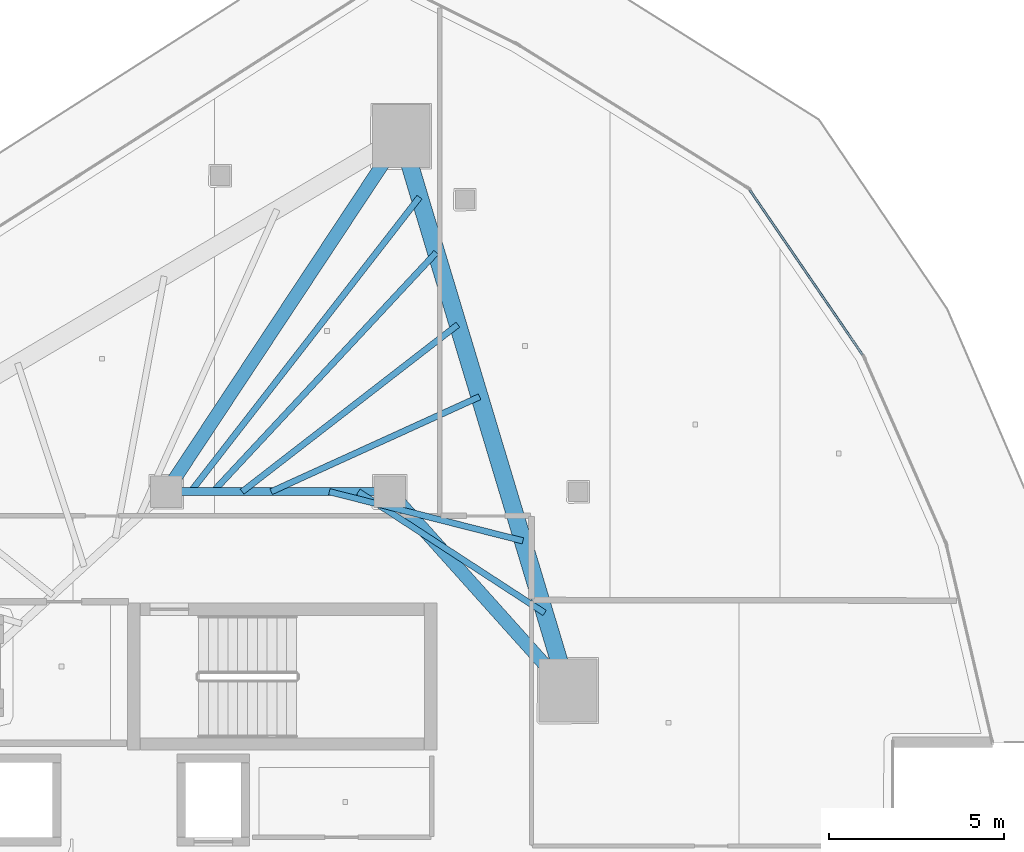
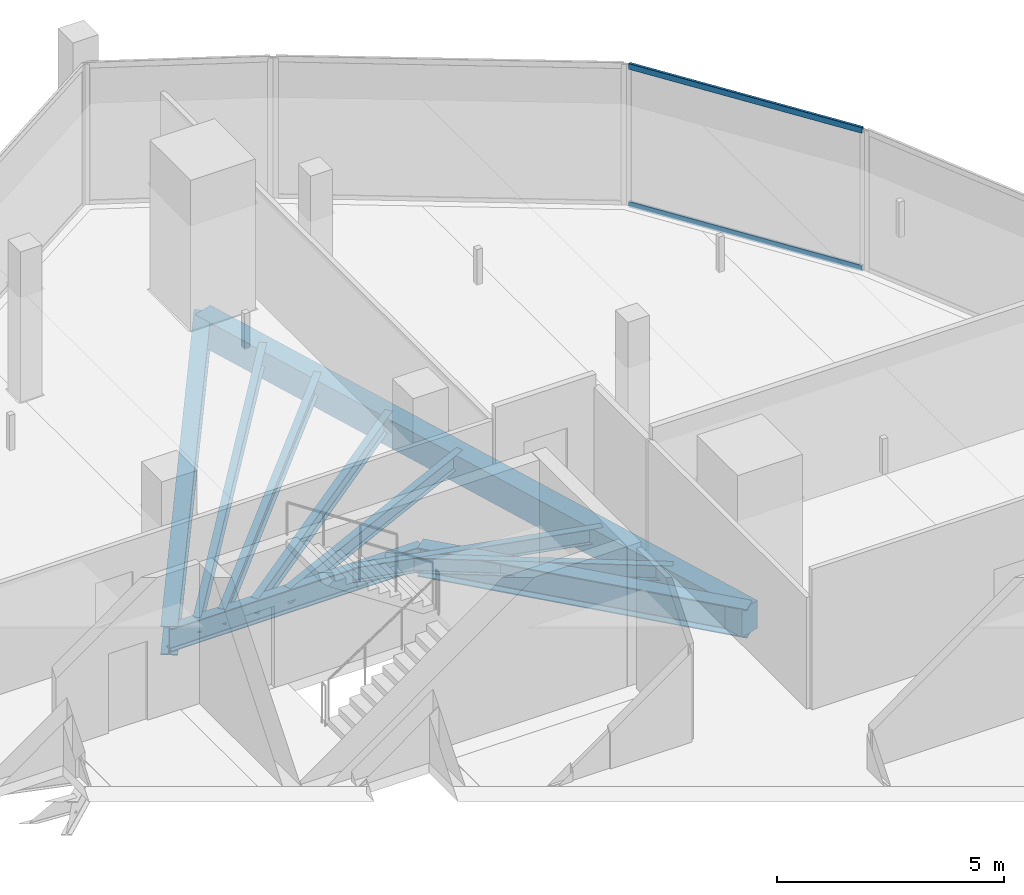
# One storey, part 19 of 33: 10 beams, 2 members, 1 element without a shape of its own.
"""IFC4 building model written with IfcOpenShell, lengths in metres."""

import ifcopenshell
import ifcopenshell.guid

model = None  # the IFC model being written
_history = None  # IfcOwnerHistory: only IFC2X3 demands one
_inside = {}  # id of a spatial element -> (the spatial element, [elements in it])
_under = {}  # id of a project, library or spatial element -> (it, [spatial elements below it])
_declared = {}  # id of a project -> (the project, [libraries it declares])
_typed = {}  # id of a type object -> (the type object, [elements of that type])
_made_of = {}  # id of a material, layer set ... -> (it, [elements and type objects made of it])


def new_model(schema):
    """Start an empty IFC model of exactly this schema.

    Asked for "IFC4X3", IfcOpenShell would pick the latest addendum, in which some entities
    have other attributes; the version numbers below select the first issue.
    IFC2X3 requires an IfcOwnerHistory on every rooted entity: one is made here for all.
    """
    global model, _history
    if schema == "IFC4X3":
        model = ifcopenshell.file(schema_version=(4, 3, 0, 0))
    else:
        model = ifcopenshell.file(schema=schema)
    _inside.clear()
    _under.clear()
    _declared.clear()
    _typed.clear()
    _made_of.clear()
    _history = None
    if model.schema == "IFC2X3":
        org = make("IfcOrganization", Name="unknown")
        user = make(
            "IfcPersonAndOrganization",
            ThePerson=make("IfcPerson", FamilyName="unknown"),
            TheOrganization=org,
        )
        app = make(
            "IfcApplication",
            ApplicationDeveloper=org,
            Version="unknown",
            ApplicationFullName="unknown",
            ApplicationIdentifier="unknown",
        )
        _history = make(
            "IfcOwnerHistory",
            OwningUser=user,
            OwningApplication=app,
            ChangeAction="ADDED",
            CreationDate=0,
        )
    return model


def make(cls, **values):
    """One entity of the class cls with the attributes given. An attribute that is None is left unset."""
    return model.create_entity(
        cls, **{name: value for name, value in values.items() if value is not None}
    )


def rooted(cls, **values):
    """An entity with a GlobalId (a new one), such as an element, a storey or a relation."""
    return make(cls, GlobalId=ifcopenshell.guid.new(), OwnerHistory=_history, **values)


def si_unit(unit_type, name, prefix=None):
    """IfcSIUnit, for example si_unit("LENGTHUNIT", "METRE", prefix="MILLI")."""
    return make("IfcSIUnit", UnitType=unit_type, Prefix=prefix, Name=name)


def assignment(units):
    """IfcUnitAssignment: the units of a project."""
    return None if units is None else make("IfcUnitAssignment", Units=units)


def point(xyz):
    """IfcCartesianPoint."""
    return None if xyz is None else make("IfcCartesianPoint", Coordinates=xyz)


def direction(xyz):
    """IfcDirection."""
    return None if xyz is None else make("IfcDirection", DirectionRatios=xyz)


def frame(location, z_axis=None, x_axis=None):
    """IfcAxis2Placement3D, a coordinate frame: its origin and axes. An axis left out is left unset."""
    return make(
        "IfcAxis2Placement3D",
        Location=point(location),
        Axis=direction(z_axis),
        RefDirection=direction(x_axis),
    )


def frame_2d(location, x_axis=None):
    """IfcAxis2Placement2D, a coordinate frame in the plane: its origin and x axis."""
    return make(
        "IfcAxis2Placement2D", Location=point(location), RefDirection=direction(x_axis)
    )


def origin():
    """The frame at (0, 0, 0) with its axes left unset."""
    return frame((0.0, 0.0, 0.0))


def origin_2d():
    """The frame at (0, 0) in the plane with its x axis left unset."""
    return frame_2d((0.0, 0.0))


def place(relative_to, where):
    """IfcLocalPlacement: puts the frame where relative to a parent placement (None: the world)."""
    return make(
        "IfcLocalPlacement", PlacementRelTo=relative_to, RelativePlacement=where
    )


def context(
    kind, dimensions, precision=None, world=None, true_north=None, identifier=None
):
    """IfcGeometricRepresentationContext, for example the 3D "Model" context."""
    return make(
        "IfcGeometricRepresentationContext",
        ContextIdentifier=identifier,
        ContextType=kind,
        CoordinateSpaceDimension=dimensions,
        Precision=precision,
        WorldCoordinateSystem=world,
        TrueNorth=true_north,
    )


def subcontext(parent, identifier, kind, view, scale=None):
    """IfcGeometricRepresentationSubContext, for example "Body" below "Model"."""
    return make(
        "IfcGeometricRepresentationSubContext",
        ContextIdentifier=identifier,
        ContextType=kind,
        ParentContext=parent,
        TargetScale=scale,
        TargetView=view,
    )


def project(units=None, contexts=None):
    """IfcProject with its units and contexts."""
    return rooted(
        "IfcProject",
        Name="project",
        RepresentationContexts=contexts,
        UnitsInContext=assignment(units),
    )


def spatial(cls, under=None, at=None, **own):
    """A site, building, storey or space (cls), placed at a placement, below another one or the project."""
    s = rooted(cls, ObjectPlacement=at, **own)
    if under is not None:
        _under.setdefault(under.id(), (under, []))[1].append(s)
    return s


def profile(cls, at=None, kind="AREA", **sizes):
    """A parametric profile (cls). Its sizes go by their IFC names, for example OverallWidth=200.0."""
    return make(cls, ProfileType=kind, Position=at, **sizes)


def rectangle(**sizes):
    """IfcRectangleProfileDef."""
    return profile("IfcRectangleProfileDef", **sizes)


def hollow_rectangle(**sizes):
    """IfcRectangleHollowProfileDef."""
    return profile("IfcRectangleHollowProfileDef", **sizes)


def i_section(**sizes):
    """IfcIShapeProfileDef."""
    return profile("IfcIShapeProfileDef", **sizes)


def extrude(swept, where, along, depth):
    """IfcExtrudedAreaSolid: the profile swept, set in the frame where, extruded along a direction by depth."""
    return make(
        "IfcExtrudedAreaSolid",
        SweptArea=swept,
        Position=where,
        ExtrudedDirection=direction(along),
        Depth=depth,
    )


def shape(context_of_items, identifier, shape_type, items):
    """IfcShapeRepresentation: the items that make up one representation, for example the "Body"."""
    return make(
        "IfcShapeRepresentation",
        ContextOfItems=context_of_items,
        RepresentationIdentifier=identifier,
        RepresentationType=shape_type,
        Items=items,
    )


def material(Name=None, Category=None):
    """IfcMaterial."""
    return make("IfcMaterial", Name=Name, Category=Category)


def layer(
    of_material, thickness, ventilated=None, Name=None, Category=None, Priority=None
):
    """IfcMaterialLayer: one layer of a wall or slab, of a material (None: an air gap)."""
    return make(
        "IfcMaterialLayer",
        Material=of_material,
        LayerThickness=thickness,
        IsVentilated=ventilated,
        Name=Name,
        Category=Category,
        Priority=Priority,
    )


def layer_set(layers, Name=None):
    """IfcMaterialLayerSet."""
    return make("IfcMaterialLayerSet", MaterialLayers=layers, LayerSetName=Name)


def material_profile(
    of_material, cross_section, Name=None, Category=None, Priority=None
):
    """IfcMaterialProfile: a cross section and its material."""
    return make(
        "IfcMaterialProfile",
        Name=Name,
        Material=of_material,
        Profile=cross_section,
        Priority=Priority,
        Category=Category,
    )


def profile_set(profiles, Name=None, composite=None):
    """IfcMaterialProfileSet."""
    return make(
        "IfcMaterialProfileSet",
        Name=Name,
        MaterialProfiles=profiles,
        CompositeProfile=composite,
    )


def made_of(thing, what):
    """Note that an element or type object is made of a material, layer set ...; save() writes the relation."""
    if what is not None:
        _made_of.setdefault(what.id(), (what, []))[1].append(thing)
    return thing


def type_object(cls, material=None, **own):
    """A type object (cls), such as IfcWallType, which elements share."""
    return made_of(rooted(cls, **own), material)


def element(
    cls,
    number,
    at=None,
    inside=None,
    cuts=None,
    type_object=None,
    material=None,
    context=None,
    identifier="Body",
    shape_type=None,
    held_by="IfcProductDefinitionShape",
    body=None,
    shapes=None,
    **own,
):
    """One element of the class cls, such as IfcWall. Its Tag is "e" and its number.

    at: its placement. inside: the storey or other place that contains it. cuts: it is an
    opening in that element (IfcRelVoidsElement). A single representation is given by context,
    identifier, shape_type and body (its items); several are given by shapes. held_by: the class
    of the entity that holds the representations. save() writes the other relations.
    """
    e = rooted(cls, Tag="e%d" % number, ObjectPlacement=at, **own)
    if body is not None:
        shapes = [shape(context, identifier, shape_type, body)]
    if shapes is not None:
        e.Representation = make(held_by, Representations=shapes)
    if inside is not None:
        _inside.setdefault(inside.id(), (inside, []))[1].append(e)
    if cuts is not None:
        rooted(
            "IfcRelVoidsElement", RelatingBuildingElement=cuts, RelatedOpeningElement=e
        )
    if type_object is not None:
        _typed.setdefault(type_object.id(), (type_object, []))[1].append(e)
    return made_of(e, material)


def aggregate(whole, parts):
    """IfcRelAggregates: a whole, such as a stair, and the parts it consists of."""
    return rooted("IfcRelAggregates", RelatingObject=whole, RelatedObjects=parts)


def save(model, path):
    """Write the relations noted so far, then the file.

    IfcRelAggregates (storeys below a building ...), IfcRelContainedInSpatialStructure (elements
    in a storey), IfcRelDefinesByType, IfcRelAssociatesMaterial and IfcRelDeclares: one each for
    every whole, place, type object, material and project.
    """
    for whole, parts in _under.values():
        aggregate(whole, parts)
    for where, things in _inside.values():
        rooted(
            "IfcRelContainedInSpatialStructure",
            RelatedElements=things,
            RelatingStructure=where,
        )
    for kind, things in _typed.values():
        rooted("IfcRelDefinesByType", RelatedObjects=things, RelatingType=kind)
    for what, things in _made_of.values():
        rooted("IfcRelAssociatesMaterial", RelatedObjects=things, RelatingMaterial=what)
    for by, libraries in _declared.values():
        rooted("IfcRelDeclares", RelatingContext=by, RelatedDefinitions=libraries)
    model.write(path)


model = new_model("IFC4")

# Units and contexts
model_context = context("Model", 3, precision=1e-05, world=origin(), true_north=direction((0.0, 1.0)))
body_context = subcontext(model_context, "Body", "Model", "MODEL_VIEW")
ifc_project = project(units=[si_unit("LENGTHUNIT", "METRE"), si_unit("AREAUNIT", "SQUARE_METRE"), si_unit("VOLUMEUNIT", "CUBIC_METRE"), si_unit("PLANEANGLEUNIT", "RADIAN"), si_unit("MASSUNIT", "GRAM", prefix="KILO")], contexts=[model_context])

# Site, building, storey
site_placement = place(None, origin())
site = spatial("IfcSite", under=ifc_project, at=site_placement, CompositionType="ELEMENT")
building_placement = place(site_placement, origin())
building = spatial("IfcBuilding", under=site, at=building_placement, Name="Qorvath Tower", CompositionType="ELEMENT")
storey_placement = place(building_placement, frame((0.0, 0.0, 221.25)))
storey = spatial("IfcBuildingStorey", under=building, at=storey_placement, Name="L51", CompositionType="ELEMENT", Elevation=221.25)

# Beams
ifc_material_1 = material(Name="Steel ASTM A992 Grade 50", Category="steel")
ifc_material_profile_1 = material_profile(ifc_material_1, i_section(OverallWidth=0.381103515625, OverallDepth=0.77294921875, WebThickness=0.0166015625, FlangeThickness=0.027099609375, FilletRadius=0.01904296875, at=origin_2d()), Name="W30x173")
ifc_profile_set_1 = profile_set([ifc_material_profile_1], Name="Steel ASTM A992 Grade 50")
beam_type_1 = type_object("IfcBeamType", Name="BM-FG3", PredefinedType="BEAM", material=ifc_profile_set_1)
beam_1_placement = place(storey_placement, frame((-23.60009765625, 11.449951171875, -0.656494140625), z_axis=(0.551500517741, 0.834174549439, 0.0), x_axis=(-0.834174549439, 0.551500517741, 0.0)))
element("IfcBeam", 1, at=beam_1_placement, inside=storey, type_object=beam_type_1, Name="Radial Floor Girder CC1-MC6 L51", PredefinedType="BEAM", context=body_context, shape_type="SweptSolid", body=[
    extrude(i_section(OverallWidth=0.381103515625, OverallDepth=0.77294921875, WebThickness=0.0166015625, FlangeThickness=0.027099609375, FilletRadius=0.01904296875, at=origin_2d()), origin(), (0.0, 0.0, 1.0), 12.200439453125),
])
beam_2_placement = place(storey_placement, frame((-17.199951171875, 11.449951171875, -0.656494140625), z_axis=(0.667543184261, -0.744571082669, 0.0), x_axis=(0.744571082669, 0.667543184261, 0.0)))
element("IfcBeam", 2, at=beam_2_placement, inside=storey, type_object=beam_type_1, Name="Radial Floor Girder CC2-MC5 L51", PredefinedType="BEAM", context=body_context, shape_type="SweptSolid", body=[
    extrude(i_section(OverallWidth=0.381103515625, OverallDepth=0.77294921875, WebThickness=0.0166015625, FlangeThickness=0.027099609375, FilletRadius=0.01904296875, at=origin_2d()), origin(), (0.0, 0.0, 1.0), 7.644775390625),
])
ifc_material_2 = material(Name="Steel ASTM A992 Grade 50", Category="steel")
ifc_material_profile_2 = material_profile(ifc_material_2, i_section(OverallWidth=0.22998046875, OverallDepth=0.616943359375, WebThickness=0.01318359375, FlangeThickness=0.022216796875, FilletRadius=0.014892578125, at=origin_2d()), Name="W24x94")
ifc_profile_set_2 = profile_set([ifc_material_profile_2], Name="Steel ASTM A992 Grade 50")
beam_type_2 = type_object("IfcBeamType", Name="BM-FG6", PredefinedType="BEAM", material=ifc_profile_set_2)
beam_3_placement = place(storey_placement, frame((-23.60009765625, 11.449951171875, -0.57861328125), z_axis=(1.0, 0.0, 0.0), x_axis=(0.0, 1.0, 0.0)))
element("IfcBeam", 3, at=beam_3_placement, inside=storey, type_object=beam_type_2, Name="Core Ring Girder CC1-CC2 L51", PredefinedType="BEAM", context=body_context, shape_type="SweptSolid", body=[
    extrude(i_section(OverallWidth=0.22998046875, OverallDepth=0.616943359375, WebThickness=0.01318359375, FlangeThickness=0.022216796875, FilletRadius=0.014892578125, at=origin_2d()), origin(), (0.0, 0.0, 1.0), 6.400146484375),
])
ifc_material_3 = material(Name="Steel ASTM A992 Grade 50", Category="steel")
ifc_material_profile_3 = material_profile(ifc_material_3, i_section(OverallWidth=0.177978515625, OverallDepth=0.406005859375, WebThickness=0.0078125, FlangeThickness=0.0126953125, FilletRadius=0.010986328125, at=origin_2d()), Name="W16x40")
ifc_profile_set_3 = profile_set([ifc_material_profile_3], Name="Steel ASTM A992 Grade 50")
beam_type_3 = type_object("IfcBeamType", Name="BM-FJ3", PredefinedType="JOIST", material=ifc_profile_set_3)
beam_4_placement = place(storey_placement, frame((-18.095947265625, 11.449951171875, -0.472900390625), z_axis=(0.838041756057, -0.545606098853, 0.0), x_axis=(0.545606098853, 0.838041756057, 0.0)))
element("IfcBeam", 4, at=beam_4_placement, inside=storey, type_object=beam_type_3, Name="Composite Floor Joist NE1 L51", PredefinedType="JOIST", context=body_context, shape_type="SweptSolid", body=[
    extrude(i_section(OverallWidth=0.177978515625, OverallDepth=0.406005859375, WebThickness=0.0078125, FlangeThickness=0.0126953125, FilletRadius=0.010986328125, at=origin_2d()), origin(), (0.0, 0.0, 1.0), 6.36083984375),
])
beam_5_placement = place(storey_placement, frame((-18.927978515625, 11.449951171875, -0.472900390625), z_axis=(0.969231577698, -0.246150662794, 0.0), x_axis=(0.246150662794, 0.969231577698, 0.0)))
element("IfcBeam", 5, at=beam_5_placement, inside=storey, type_object=beam_type_3, Name="Composite Floor Joist NE2 L51", PredefinedType="JOIST", context=body_context, shape_type="SweptSolid", body=[
    extrude(i_section(OverallWidth=0.177978515625, OverallDepth=0.406005859375, WebThickness=0.0078125, FlangeThickness=0.0126953125, FilletRadius=0.010986328125, at=origin_2d()), origin(), (0.0, 0.0, 1.0), 5.718017578125),
])
beam_6_placement = place(storey_placement, frame((-20.592041015625, 11.449951171875, -0.472900390625), z_axis=(0.909945081179, 0.414728765868, 0.0), x_axis=(-0.414728765868, 0.909945081179, 0.0)))
element("IfcBeam", 6, at=beam_6_placement, inside=storey, type_object=beam_type_3, Name="Composite Floor Joist NE4 L51", PredefinedType="JOIST", context=body_context, shape_type="SweptSolid", body=[
    extrude(i_section(OverallWidth=0.177978515625, OverallDepth=0.406005859375, WebThickness=0.0078125, FlangeThickness=0.0126953125, FilletRadius=0.010986328125, at=origin_2d()), origin(), (0.0, 0.0, 1.0), 6.554931640625),
])
beam_7_placement = place(storey_placement, frame((-21.424072265625, 11.449951171875, -0.472900390625), z_axis=(0.790693445503, 0.612212279555, 0.0), x_axis=(-0.612212279555, 0.790693445503, 0.0)))
element("IfcBeam", 7, at=beam_7_placement, inside=storey, type_object=beam_type_3, Name="Composite Floor Joist NE5 L51", PredefinedType="JOIST", context=body_context, shape_type="SweptSolid", body=[
    extrude(i_section(OverallWidth=0.177978515625, OverallDepth=0.406005859375, WebThickness=0.0078125, FlangeThickness=0.0126953125, FilletRadius=0.010986328125, at=origin_2d()), origin(), (0.0, 0.0, 1.0), 7.810546875),
])
beam_8_placement = place(storey_placement, frame((-22.256103515625, 11.449951171875, -0.472900390625), z_axis=(0.682249490937, 0.731119437654, 0.0), x_axis=(-0.731119437654, 0.682249490937, 0.0)))
element("IfcBeam", 8, at=beam_8_placement, inside=storey, type_object=beam_type_3, Name="Composite Floor Joist NE6 L51", PredefinedType="JOIST", context=body_context, shape_type="SweptSolid", body=[
    extrude(i_section(OverallWidth=0.177978515625, OverallDepth=0.406005859375, WebThickness=0.0078125, FlangeThickness=0.0126953125, FilletRadius=0.010986328125, at=origin_2d()), origin(), (0.0, 0.0, 1.0), 9.362060546875),
])
beam_9_placement = place(storey_placement, frame((-22.89599609375, 11.449951171875, -0.472900390625), z_axis=(0.61345131907, 0.789732536452, 0.0), x_axis=(-0.789732536452, 0.61345131907, 0.0)))
element("IfcBeam", 9, at=beam_9_placement, inside=storey, type_object=beam_type_3, Name="Composite Floor Joist NE7 L51", PredefinedType="JOIST", context=body_context, shape_type="SweptSolid", body=[
    extrude(i_section(OverallWidth=0.177978515625, OverallDepth=0.406005859375, WebThickness=0.0078125, FlangeThickness=0.0126953125, FilletRadius=0.010986328125, at=origin_2d()), origin(), (0.0, 0.0, 1.0), 10.676513671875),
])
ifc_material_4 = material(Name="Concrete C45/55", Category="concrete")
ifc_material_profile_4 = material_profile(ifc_material_4, rectangle(XDim=0.5, YDim=0.75, at=origin_2d()), Name="RCB 750x500")
ifc_profile_set_4 = profile_set([ifc_material_profile_4], Name="Concrete C45/55")
beam_type_4 = type_object("IfcBeamType", Name="BM-RCB3", PredefinedType="SPANDREL", material=ifc_profile_set_4)
beam_10_placement = place(storey_placement, frame((-12.0966796875, 5.7578125, -0.64501953125), z_axis=(-0.28812763802, 0.957592013443, 0.0), x_axis=(-0.957592013443, -0.28812763802, 0.0)))
element("IfcBeam", 10, at=beam_10_placement, inside=storey, type_object=beam_type_4, Name="Perimeter Loggia Frame Beam MC5-MC6 L51", PredefinedType="SPANDREL", context=body_context, shape_type="SweptSolid", body=[
    extrude(rectangle(XDim=0.5, YDim=0.75, at=origin_2d()), origin(), (0.0, 0.0, 1.0), 16.572265625),
])

# Curtain wall, members
ifc_material_5 = material(Name="Anodised aluminium and triple low-E glass", Category="aluminium")
ifc_layer = layer(ifc_material_5, 0.179931640625)
ifc_layer_set = layer_set([ifc_layer], Name="CW-SYS-3")
curtain_wall_type = type_object("IfcCurtainWallType", Name="CW-SYS-3", PredefinedType="NOTDEFINED", material=ifc_layer_set)
curtain_wall_placement = place(storey_placement, origin())
curtain_wall = element("IfcCurtainWall", 11, at=curtain_wall_placement, inside=storey, type_object=curtain_wall_type, Name="Curtain Wall CW-3 CW-T-L51-13.1", PredefinedType="NOTDEFINED")
ifc_material_6 = material(Name="Anodised aluminium 6063-T6", Category="aluminium")
ifc_material_profile_5 = material_profile(ifc_material_6, hollow_rectangle(XDim=0.06494140625, YDim=0.159912109375, WallThickness=0.00341796875, InnerFilletRadius=0.00341796875, OuterFilletRadius=0.007080078125, at=origin_2d()), Name="CWT 160x65")
ifc_profile_set_5 = profile_set([ifc_material_profile_5], Name="Anodised aluminium 6063-T6")
member_type = type_object("IfcMemberType", Name="CWT-160", PredefinedType="USERDEFINED", material=ifc_profile_set_5)
member_1_placement = place(storey_placement, frame((-3.666259765625, 15.369384765625, 0.032470703125), z_axis=(-0.564748258868, 0.82526323322, 0.0), x_axis=(-0.82526323322, -0.564748258868, 0.0)))
member_1 = element("IfcMember", 12, at=member_1_placement, type_object=member_type, Name="CW-3 transom 1.1", ObjectType="TRANSOM", PredefinedType="USERDEFINED", context=body_context, shape_type="SweptSolid", body=[
    extrude(hollow_rectangle(XDim=0.06494140625, YDim=0.159912109375, WallThickness=0.00341796875, InnerFilletRadius=0.00341796875, OuterFilletRadius=0.007080078125, at=origin_2d()), origin(), (0.0, 0.0, 1.0), 5.712890625),
])
member_2_placement = place(storey_placement, frame((-3.666259765625, 15.369384765625, 3.74755859375), z_axis=(-0.564748258868, 0.82526323322, 0.0), x_axis=(-0.82526323322, -0.564748258868, 0.0)))
member_2 = element("IfcMember", 13, at=member_2_placement, type_object=member_type, Name="CW-3 transom 1.2", ObjectType="TRANSOM", PredefinedType="USERDEFINED", context=body_context, shape_type="SweptSolid", body=[
    extrude(hollow_rectangle(XDim=0.06494140625, YDim=0.159912109375, WallThickness=0.00341796875, InnerFilletRadius=0.00341796875, OuterFilletRadius=0.007080078125, at=origin_2d()), origin(), (0.0, 0.0, 1.0), 5.712890625),
])
aggregate(curtain_wall, [member_1, member_2])

save(model, "model.ifc")
